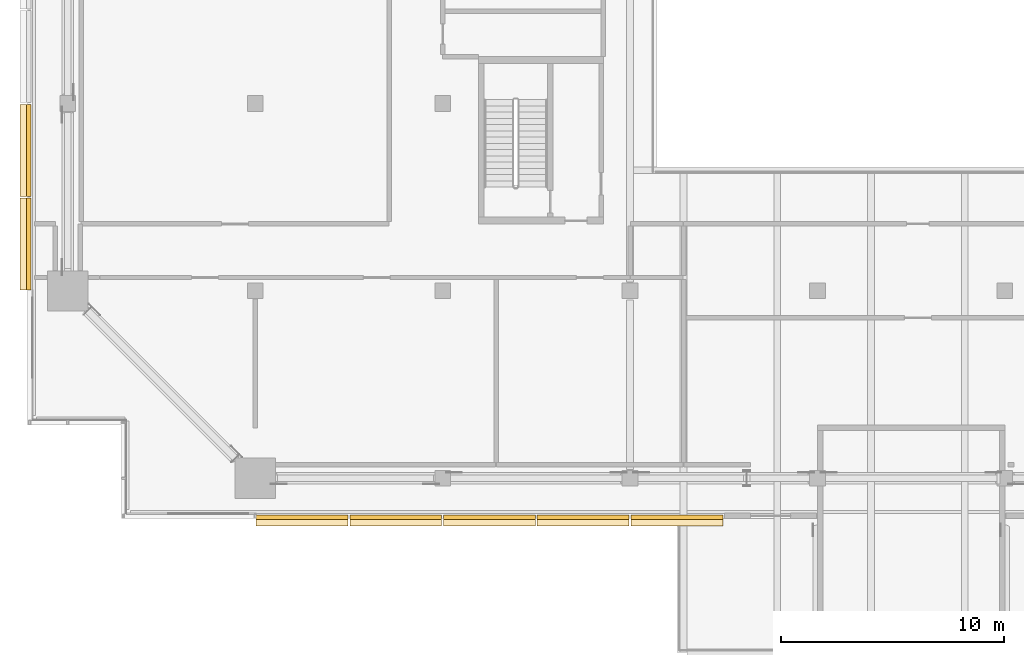
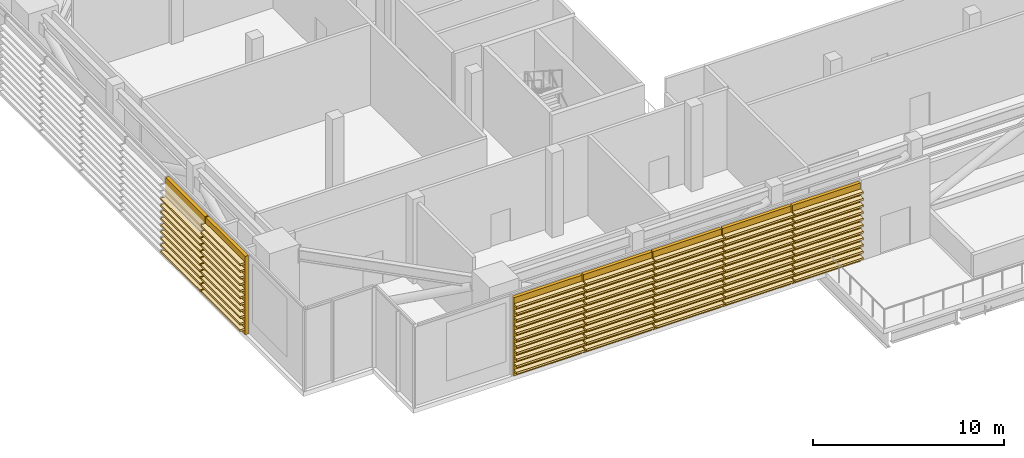
# One storey, part 25 of 29: 82 coverings.
"""IFC4 building model written with IfcOpenShell, lengths in metres."""

from ifc_helpers import new_model, si_unit, direction, frame, origin, place, context, subcontext, project, spatial, polyline, outline, extrude, material, layer, layer_set, type_object, element, save


model = new_model("IFC4")

# Units and contexts
model_context = context("Model", 3, precision=1e-05, world=origin(), true_north=direction((0.0, 1.0)))
body_context = subcontext(model_context, "Body", "Model", "MODEL_VIEW")
ifc_project = project(units=[si_unit("LENGTHUNIT", "METRE"), si_unit("AREAUNIT", "SQUARE_METRE"), si_unit("VOLUMEUNIT", "CUBIC_METRE"), si_unit("PLANEANGLEUNIT", "RADIAN"), si_unit("MASSUNIT", "GRAM", prefix="KILO")], contexts=[model_context])

# Site, building, storey
site_placement = place(None, origin())
site = spatial("IfcSite", under=ifc_project, at=site_placement, CompositionType="ELEMENT")
building_placement = place(site_placement, origin())
building = spatial("IfcBuilding", under=site, at=building_placement, Name="Saffron Gate Tower", CompositionType="ELEMENT")
storey_placement = place(building_placement, frame((0.0, 0.0, 142.050048828125)))
storey = spatial("IfcBuildingStorey", under=building, at=storey_placement, Name="L34", CompositionType="ELEMENT", Elevation=142.050048828125)

# Coverings
ifc_material = material(Name="Ceramic-printed bronze insulated panel")
ifc_layer_1 = layer(ifc_material, 0.199951171875)
ifc_layer_set_1 = layer_set([ifc_layer_1], Name="CLDB ceramic-printed backed panel 200")
covering_type_1 = type_object("IfcCoveringType", Name="CLDB ceramic-printed backed panel 200", PredefinedType="CLADDING", material=ifc_layer_set_1)
covering_1_placement = place(storey_placement, origin())
element("IfcCovering", 1, at=covering_1_placement, inside=storey, type_object=covering_type_1, Name="CLADDING backed panel behind the braces", PredefinedType="CLADDING", context=body_context, shape_type="SweptSolid", body=[
    extrude(outline(polyline([(58.239990234375, 29.9599609375), (62.360107421875, 29.9599609375), (62.360107421875, 30.159912109375), (58.239990234375, 30.159912109375), (58.239990234375, 29.9599609375)])), origin(), (0.0, 0.0, 1.0), 5.0),
])
covering_2_placement = place(storey_placement, origin())
element("IfcCovering", 2, at=covering_2_placement, inside=storey, type_object=covering_type_1, Name="CLADDING backed panel behind the braces", PredefinedType="CLADDING", context=body_context, shape_type="SweptSolid", body=[
    extrude(outline(polyline([(62.43994140625, 29.9599609375), (66.56005859375, 29.9599609375), (66.56005859375, 30.159912109375), (62.43994140625, 30.159912109375), (62.43994140625, 29.9599609375)])), origin(), (0.0, 0.0, 1.0), 5.0),
])
covering_3_placement = place(storey_placement, origin())
element("IfcCovering", 3, at=covering_3_placement, inside=storey, type_object=covering_type_1, Name="CLADDING backed panel behind the braces", PredefinedType="CLADDING", context=body_context, shape_type="SweptSolid", body=[
    extrude(outline(polyline([(66.639892578125, 29.9599609375), (70.760009765625, 29.9599609375), (70.760009765625, 30.159912109375), (66.639892578125, 30.159912109375), (66.639892578125, 29.9599609375)])), origin(), (0.0, 0.0, 1.0), 5.0),
])
covering_4_placement = place(storey_placement, origin())
element("IfcCovering", 4, at=covering_4_placement, inside=storey, type_object=covering_type_1, Name="CLADDING backed panel behind the braces", PredefinedType="CLADDING", context=body_context, shape_type="SweptSolid", body=[
    extrude(outline(polyline([(70.840087890625, 29.9599609375), (74.9599609375, 29.9599609375), (74.9599609375, 30.159912109375), (70.840087890625, 30.159912109375), (70.840087890625, 29.9599609375)])), origin(), (0.0, 0.0, 1.0), 5.0),
])
covering_5_placement = place(storey_placement, origin())
element("IfcCovering", 5, at=covering_5_placement, inside=storey, type_object=covering_type_1, Name="CLADDING backed panel behind the braces", PredefinedType="CLADDING", context=body_context, shape_type="SweptSolid", body=[
    extrude(outline(polyline([(75.0400390625, 29.9599609375), (79.159912109375, 29.9599609375), (79.159912109375, 30.159912109375), (75.0400390625, 30.159912109375), (75.0400390625, 29.9599609375)])), origin(), (0.0, 0.0, 1.0), 5.0),
])
covering_6_placement = place(storey_placement, origin())
element("IfcCovering", 6, at=covering_6_placement, inside=storey, type_object=covering_type_1, Name="CLADDING backed panel behind the braces", PredefinedType="CLADDING", context=body_context, shape_type="SweptSolid", body=[
    extrude(outline(polyline([(47.9599609375, 48.56005859375), (47.9599609375, 44.43994140625), (48.159912109375, 44.43994140625), (48.159912109375, 48.56005859375), (47.9599609375, 48.56005859375)])), origin(), (0.0, 0.0, 1.0), 5.0),
])
covering_7_placement = place(storey_placement, origin())
element("IfcCovering", 7, at=covering_7_placement, inside=storey, type_object=covering_type_1, Name="CLADDING backed panel behind the braces", PredefinedType="CLADDING", context=body_context, shape_type="SweptSolid", body=[
    extrude(outline(polyline([(47.9599609375, 44.360107421875), (47.9599609375, 40.239990234375), (48.159912109375, 40.239990234375), (48.159912109375, 44.360107421875), (47.9599609375, 44.360107421875)])), origin(), (0.0, 0.0, 1.0), 5.0),
])
ifc_layer_2 = layer(ifc_material, 0.1201171875)
ifc_layer_set_2 = layer_set([ifc_layer_2], Name="LV1 louvre slat 300")
covering_type_2 = type_object("IfcCoveringType", Name="LV1 louvre slat 300", PredefinedType="CLADDING", material=ifc_layer_set_2)
for number, where, name in (
    (8, (0.0, 0.0, 0.300048828125), "CLADDING louvre slat in front of the outrigger truss"),
    (9, (0.0, 0.0, 0.719970703125), "CLADDING louvre slat in front of the outrigger truss"),
):
    element("IfcCovering", number, at=place(storey_placement, frame(where)), inside=storey, type_object=covering_type_2, Name=name, PredefinedType="CLADDING", context=body_context, shape_type="SweptSolid", body=[
        extrude(outline(polyline([(58.239990234375, 29.659912109375), (62.360107421875, 29.659912109375), (62.360107421875, 29.9599609375), (58.239990234375, 29.9599609375), (58.239990234375, 29.659912109375)])), origin(), (0.0, 0.0, 1.0), 0.119873046875),
    ])
covering_8_placement = place(storey_placement, frame((0.0, 0.0, 1.139892578125)))
element("IfcCovering", 10, at=covering_8_placement, inside=storey, type_object=covering_type_2, Name="CLADDING louvre slat in front of the outrigger truss", PredefinedType="CLADDING", context=body_context, shape_type="SweptSolid", body=[
    extrude(outline(polyline([(58.239990234375, 29.659912109375), (62.360107421875, 29.659912109375), (62.360107421875, 29.9599609375), (58.239990234375, 29.9599609375), (58.239990234375, 29.659912109375)])), origin(), (0.0, 0.0, 1.0), 0.1201171875),
])
for number, where, name in (
    (11, (0.0, 0.0, 1.56005859375), "CLADDING louvre slat in front of the outrigger truss"),
    (12, (0.0, 0.0, 1.97998046875), "CLADDING louvre slat in front of the outrigger truss"),
):
    element("IfcCovering", number, at=place(storey_placement, frame(where)), inside=storey, type_object=covering_type_2, Name=name, PredefinedType="CLADDING", context=body_context, shape_type="SweptSolid", body=[
        extrude(outline(polyline([(58.239990234375, 29.659912109375), (62.360107421875, 29.659912109375), (62.360107421875, 29.9599609375), (58.239990234375, 29.9599609375), (58.239990234375, 29.659912109375)])), origin(), (0.0, 0.0, 1.0), 0.119873046875),
    ])
covering_9_placement = place(storey_placement, frame((0.0, 0.0, 2.39990234375)))
element("IfcCovering", 13, at=covering_9_placement, inside=storey, type_object=covering_type_2, Name="CLADDING louvre slat in front of the outrigger truss", PredefinedType="CLADDING", context=body_context, shape_type="SweptSolid", body=[
    extrude(outline(polyline([(58.239990234375, 29.659912109375), (62.360107421875, 29.659912109375), (62.360107421875, 29.9599609375), (58.239990234375, 29.9599609375), (58.239990234375, 29.659912109375)])), origin(), (0.0, 0.0, 1.0), 0.1201171875),
])
for number, where, name in (
    (14, (0.0, 0.0, 2.820068359375), "CLADDING louvre slat in front of the outrigger truss"),
    (15, (0.0, 0.0, 3.239990234375), "CLADDING louvre slat in front of the outrigger truss"),
):
    element("IfcCovering", number, at=place(storey_placement, frame(where)), inside=storey, type_object=covering_type_2, Name=name, PredefinedType="CLADDING", context=body_context, shape_type="SweptSolid", body=[
        extrude(outline(polyline([(58.239990234375, 29.659912109375), (62.360107421875, 29.659912109375), (62.360107421875, 29.9599609375), (58.239990234375, 29.9599609375), (58.239990234375, 29.659912109375)])), origin(), (0.0, 0.0, 1.0), 0.119873046875),
    ])
for number, where, name in (
    (16, (0.0, 0.0, 3.659912109375), "CLADDING louvre slat in front of the outrigger truss"),
    (17, (0.0, 0.0, 4.079833984375), "CLADDING louvre slat in front of the outrigger truss"),
):
    element("IfcCovering", number, at=place(storey_placement, frame(where)), inside=storey, type_object=covering_type_2, Name=name, PredefinedType="CLADDING", context=body_context, shape_type="SweptSolid", body=[
        extrude(outline(polyline([(58.239990234375, 29.659912109375), (62.360107421875, 29.659912109375), (62.360107421875, 29.9599609375), (58.239990234375, 29.9599609375), (58.239990234375, 29.659912109375)])), origin(), (0.0, 0.0, 1.0), 0.1201171875),
    ])
covering_10_placement = place(storey_placement, frame((0.0, 0.0, 4.5)))
element("IfcCovering", 18, at=covering_10_placement, inside=storey, type_object=covering_type_2, Name="CLADDING louvre slat in front of the outrigger truss", PredefinedType="CLADDING", context=body_context, shape_type="SweptSolid", body=[
    extrude(outline(polyline([(58.239990234375, 29.659912109375), (62.360107421875, 29.659912109375), (62.360107421875, 29.9599609375), (58.239990234375, 29.9599609375), (58.239990234375, 29.659912109375)])), origin(), (0.0, 0.0, 1.0), 0.119873046875),
])
for number, where, name in (
    (19, (0.0, 0.0, 0.300048828125), "CLADDING louvre slat in front of the outrigger truss"),
    (20, (0.0, 0.0, 0.719970703125), "CLADDING louvre slat in front of the outrigger truss"),
):
    element("IfcCovering", number, at=place(storey_placement, frame(where)), inside=storey, type_object=covering_type_2, Name=name, PredefinedType="CLADDING", context=body_context, shape_type="SweptSolid", body=[
        extrude(outline(polyline([(62.43994140625, 29.659912109375), (66.56005859375, 29.659912109375), (66.56005859375, 29.9599609375), (62.43994140625, 29.9599609375), (62.43994140625, 29.659912109375)])), origin(), (0.0, 0.0, 1.0), 0.119873046875),
    ])
covering_11_placement = place(storey_placement, frame((0.0, 0.0, 1.139892578125)))
element("IfcCovering", 21, at=covering_11_placement, inside=storey, type_object=covering_type_2, Name="CLADDING louvre slat in front of the outrigger truss", PredefinedType="CLADDING", context=body_context, shape_type="SweptSolid", body=[
    extrude(outline(polyline([(62.43994140625, 29.659912109375), (66.56005859375, 29.659912109375), (66.56005859375, 29.9599609375), (62.43994140625, 29.9599609375), (62.43994140625, 29.659912109375)])), origin(), (0.0, 0.0, 1.0), 0.1201171875),
])
for number, where, name in (
    (22, (0.0, 0.0, 1.56005859375), "CLADDING louvre slat in front of the outrigger truss"),
    (23, (0.0, 0.0, 1.97998046875), "CLADDING louvre slat in front of the outrigger truss"),
):
    element("IfcCovering", number, at=place(storey_placement, frame(where)), inside=storey, type_object=covering_type_2, Name=name, PredefinedType="CLADDING", context=body_context, shape_type="SweptSolid", body=[
        extrude(outline(polyline([(62.43994140625, 29.659912109375), (66.56005859375, 29.659912109375), (66.56005859375, 29.9599609375), (62.43994140625, 29.9599609375), (62.43994140625, 29.659912109375)])), origin(), (0.0, 0.0, 1.0), 0.119873046875),
    ])
covering_12_placement = place(storey_placement, frame((0.0, 0.0, 2.39990234375)))
element("IfcCovering", 24, at=covering_12_placement, inside=storey, type_object=covering_type_2, Name="CLADDING louvre slat in front of the outrigger truss", PredefinedType="CLADDING", context=body_context, shape_type="SweptSolid", body=[
    extrude(outline(polyline([(62.43994140625, 29.659912109375), (66.56005859375, 29.659912109375), (66.56005859375, 29.9599609375), (62.43994140625, 29.9599609375), (62.43994140625, 29.659912109375)])), origin(), (0.0, 0.0, 1.0), 0.1201171875),
])
for number, where, name in (
    (25, (0.0, 0.0, 2.820068359375), "CLADDING louvre slat in front of the outrigger truss"),
    (26, (0.0, 0.0, 3.239990234375), "CLADDING louvre slat in front of the outrigger truss"),
):
    element("IfcCovering", number, at=place(storey_placement, frame(where)), inside=storey, type_object=covering_type_2, Name=name, PredefinedType="CLADDING", context=body_context, shape_type="SweptSolid", body=[
        extrude(outline(polyline([(62.43994140625, 29.659912109375), (66.56005859375, 29.659912109375), (66.56005859375, 29.9599609375), (62.43994140625, 29.9599609375), (62.43994140625, 29.659912109375)])), origin(), (0.0, 0.0, 1.0), 0.119873046875),
    ])
for number, where, name in (
    (27, (0.0, 0.0, 3.659912109375), "CLADDING louvre slat in front of the outrigger truss"),
    (28, (0.0, 0.0, 4.079833984375), "CLADDING louvre slat in front of the outrigger truss"),
):
    element("IfcCovering", number, at=place(storey_placement, frame(where)), inside=storey, type_object=covering_type_2, Name=name, PredefinedType="CLADDING", context=body_context, shape_type="SweptSolid", body=[
        extrude(outline(polyline([(62.43994140625, 29.659912109375), (66.56005859375, 29.659912109375), (66.56005859375, 29.9599609375), (62.43994140625, 29.9599609375), (62.43994140625, 29.659912109375)])), origin(), (0.0, 0.0, 1.0), 0.1201171875),
    ])
covering_13_placement = place(storey_placement, frame((0.0, 0.0, 4.5)))
element("IfcCovering", 29, at=covering_13_placement, inside=storey, type_object=covering_type_2, Name="CLADDING louvre slat in front of the outrigger truss", PredefinedType="CLADDING", context=body_context, shape_type="SweptSolid", body=[
    extrude(outline(polyline([(62.43994140625, 29.659912109375), (66.56005859375, 29.659912109375), (66.56005859375, 29.9599609375), (62.43994140625, 29.9599609375), (62.43994140625, 29.659912109375)])), origin(), (0.0, 0.0, 1.0), 0.119873046875),
])
for number, where, name in (
    (30, (0.0, 0.0, 0.300048828125), "CLADDING louvre slat in front of the outrigger truss"),
    (31, (0.0, 0.0, 0.719970703125), "CLADDING louvre slat in front of the outrigger truss"),
):
    element("IfcCovering", number, at=place(storey_placement, frame(where)), inside=storey, type_object=covering_type_2, Name=name, PredefinedType="CLADDING", context=body_context, shape_type="SweptSolid", body=[
        extrude(outline(polyline([(66.639892578125, 29.659912109375), (70.760009765625, 29.659912109375), (70.760009765625, 29.9599609375), (66.639892578125, 29.9599609375), (66.639892578125, 29.659912109375)])), origin(), (0.0, 0.0, 1.0), 0.119873046875),
    ])
covering_14_placement = place(storey_placement, frame((0.0, 0.0, 1.139892578125)))
element("IfcCovering", 32, at=covering_14_placement, inside=storey, type_object=covering_type_2, Name="CLADDING louvre slat in front of the outrigger truss", PredefinedType="CLADDING", context=body_context, shape_type="SweptSolid", body=[
    extrude(outline(polyline([(66.639892578125, 29.659912109375), (70.760009765625, 29.659912109375), (70.760009765625, 29.9599609375), (66.639892578125, 29.9599609375), (66.639892578125, 29.659912109375)])), origin(), (0.0, 0.0, 1.0), 0.1201171875),
])
for number, where, name in (
    (33, (0.0, 0.0, 1.56005859375), "CLADDING louvre slat in front of the outrigger truss"),
    (34, (0.0, 0.0, 1.97998046875), "CLADDING louvre slat in front of the outrigger truss"),
):
    element("IfcCovering", number, at=place(storey_placement, frame(where)), inside=storey, type_object=covering_type_2, Name=name, PredefinedType="CLADDING", context=body_context, shape_type="SweptSolid", body=[
        extrude(outline(polyline([(66.639892578125, 29.659912109375), (70.760009765625, 29.659912109375), (70.760009765625, 29.9599609375), (66.639892578125, 29.9599609375), (66.639892578125, 29.659912109375)])), origin(), (0.0, 0.0, 1.0), 0.119873046875),
    ])
covering_15_placement = place(storey_placement, frame((0.0, 0.0, 2.39990234375)))
element("IfcCovering", 35, at=covering_15_placement, inside=storey, type_object=covering_type_2, Name="CLADDING louvre slat in front of the outrigger truss", PredefinedType="CLADDING", context=body_context, shape_type="SweptSolid", body=[
    extrude(outline(polyline([(66.639892578125, 29.659912109375), (70.760009765625, 29.659912109375), (70.760009765625, 29.9599609375), (66.639892578125, 29.9599609375), (66.639892578125, 29.659912109375)])), origin(), (0.0, 0.0, 1.0), 0.1201171875),
])
for number, where, name in (
    (36, (0.0, 0.0, 2.820068359375), "CLADDING louvre slat in front of the outrigger truss"),
    (37, (0.0, 0.0, 3.239990234375), "CLADDING louvre slat in front of the outrigger truss"),
):
    element("IfcCovering", number, at=place(storey_placement, frame(where)), inside=storey, type_object=covering_type_2, Name=name, PredefinedType="CLADDING", context=body_context, shape_type="SweptSolid", body=[
        extrude(outline(polyline([(66.639892578125, 29.659912109375), (70.760009765625, 29.659912109375), (70.760009765625, 29.9599609375), (66.639892578125, 29.9599609375), (66.639892578125, 29.659912109375)])), origin(), (0.0, 0.0, 1.0), 0.119873046875),
    ])
for number, where, name in (
    (38, (0.0, 0.0, 3.659912109375), "CLADDING louvre slat in front of the outrigger truss"),
    (39, (0.0, 0.0, 4.079833984375), "CLADDING louvre slat in front of the outrigger truss"),
):
    element("IfcCovering", number, at=place(storey_placement, frame(where)), inside=storey, type_object=covering_type_2, Name=name, PredefinedType="CLADDING", context=body_context, shape_type="SweptSolid", body=[
        extrude(outline(polyline([(66.639892578125, 29.659912109375), (70.760009765625, 29.659912109375), (70.760009765625, 29.9599609375), (66.639892578125, 29.9599609375), (66.639892578125, 29.659912109375)])), origin(), (0.0, 0.0, 1.0), 0.1201171875),
    ])
covering_16_placement = place(storey_placement, frame((0.0, 0.0, 4.5)))
element("IfcCovering", 40, at=covering_16_placement, inside=storey, type_object=covering_type_2, Name="CLADDING louvre slat in front of the outrigger truss", PredefinedType="CLADDING", context=body_context, shape_type="SweptSolid", body=[
    extrude(outline(polyline([(66.639892578125, 29.659912109375), (70.760009765625, 29.659912109375), (70.760009765625, 29.9599609375), (66.639892578125, 29.9599609375), (66.639892578125, 29.659912109375)])), origin(), (0.0, 0.0, 1.0), 0.119873046875),
])
for number, where, name in (
    (41, (0.0, 0.0, 0.300048828125), "CLADDING louvre slat in front of the outrigger truss"),
    (42, (0.0, 0.0, 0.719970703125), "CLADDING louvre slat in front of the outrigger truss"),
):
    element("IfcCovering", number, at=place(storey_placement, frame(where)), inside=storey, type_object=covering_type_2, Name=name, PredefinedType="CLADDING", context=body_context, shape_type="SweptSolid", body=[
        extrude(outline(polyline([(70.840087890625, 29.659912109375), (74.9599609375, 29.659912109375), (74.9599609375, 29.9599609375), (70.840087890625, 29.9599609375), (70.840087890625, 29.659912109375)])), origin(), (0.0, 0.0, 1.0), 0.119873046875),
    ])
covering_17_placement = place(storey_placement, frame((0.0, 0.0, 1.139892578125)))
element("IfcCovering", 43, at=covering_17_placement, inside=storey, type_object=covering_type_2, Name="CLADDING louvre slat in front of the outrigger truss", PredefinedType="CLADDING", context=body_context, shape_type="SweptSolid", body=[
    extrude(outline(polyline([(70.840087890625, 29.659912109375), (74.9599609375, 29.659912109375), (74.9599609375, 29.9599609375), (70.840087890625, 29.9599609375), (70.840087890625, 29.659912109375)])), origin(), (0.0, 0.0, 1.0), 0.1201171875),
])
for number, where, name in (
    (44, (0.0, 0.0, 1.56005859375), "CLADDING louvre slat in front of the outrigger truss"),
    (45, (0.0, 0.0, 1.97998046875), "CLADDING louvre slat in front of the outrigger truss"),
):
    element("IfcCovering", number, at=place(storey_placement, frame(where)), inside=storey, type_object=covering_type_2, Name=name, PredefinedType="CLADDING", context=body_context, shape_type="SweptSolid", body=[
        extrude(outline(polyline([(70.840087890625, 29.659912109375), (74.9599609375, 29.659912109375), (74.9599609375, 29.9599609375), (70.840087890625, 29.9599609375), (70.840087890625, 29.659912109375)])), origin(), (0.0, 0.0, 1.0), 0.119873046875),
    ])
covering_18_placement = place(storey_placement, frame((0.0, 0.0, 2.39990234375)))
element("IfcCovering", 46, at=covering_18_placement, inside=storey, type_object=covering_type_2, Name="CLADDING louvre slat in front of the outrigger truss", PredefinedType="CLADDING", context=body_context, shape_type="SweptSolid", body=[
    extrude(outline(polyline([(70.840087890625, 29.659912109375), (74.9599609375, 29.659912109375), (74.9599609375, 29.9599609375), (70.840087890625, 29.9599609375), (70.840087890625, 29.659912109375)])), origin(), (0.0, 0.0, 1.0), 0.1201171875),
])
for number, where, name in (
    (47, (0.0, 0.0, 2.820068359375), "CLADDING louvre slat in front of the outrigger truss"),
    (48, (0.0, 0.0, 3.239990234375), "CLADDING louvre slat in front of the outrigger truss"),
):
    element("IfcCovering", number, at=place(storey_placement, frame(where)), inside=storey, type_object=covering_type_2, Name=name, PredefinedType="CLADDING", context=body_context, shape_type="SweptSolid", body=[
        extrude(outline(polyline([(70.840087890625, 29.659912109375), (74.9599609375, 29.659912109375), (74.9599609375, 29.9599609375), (70.840087890625, 29.9599609375), (70.840087890625, 29.659912109375)])), origin(), (0.0, 0.0, 1.0), 0.119873046875),
    ])
for number, where, name in (
    (49, (0.0, 0.0, 3.659912109375), "CLADDING louvre slat in front of the outrigger truss"),
    (50, (0.0, 0.0, 4.079833984375), "CLADDING louvre slat in front of the outrigger truss"),
):
    element("IfcCovering", number, at=place(storey_placement, frame(where)), inside=storey, type_object=covering_type_2, Name=name, PredefinedType="CLADDING", context=body_context, shape_type="SweptSolid", body=[
        extrude(outline(polyline([(70.840087890625, 29.659912109375), (74.9599609375, 29.659912109375), (74.9599609375, 29.9599609375), (70.840087890625, 29.9599609375), (70.840087890625, 29.659912109375)])), origin(), (0.0, 0.0, 1.0), 0.1201171875),
    ])
covering_19_placement = place(storey_placement, frame((0.0, 0.0, 4.5)))
element("IfcCovering", 51, at=covering_19_placement, inside=storey, type_object=covering_type_2, Name="CLADDING louvre slat in front of the outrigger truss", PredefinedType="CLADDING", context=body_context, shape_type="SweptSolid", body=[
    extrude(outline(polyline([(70.840087890625, 29.659912109375), (74.9599609375, 29.659912109375), (74.9599609375, 29.9599609375), (70.840087890625, 29.9599609375), (70.840087890625, 29.659912109375)])), origin(), (0.0, 0.0, 1.0), 0.119873046875),
])
for number, where, name in (
    (52, (0.0, 0.0, 0.300048828125), "CLADDING louvre slat in front of the outrigger truss"),
    (53, (0.0, 0.0, 0.719970703125), "CLADDING louvre slat in front of the outrigger truss"),
):
    element("IfcCovering", number, at=place(storey_placement, frame(where)), inside=storey, type_object=covering_type_2, Name=name, PredefinedType="CLADDING", context=body_context, shape_type="SweptSolid", body=[
        extrude(outline(polyline([(75.0400390625, 29.659912109375), (79.159912109375, 29.659912109375), (79.159912109375, 29.9599609375), (75.0400390625, 29.9599609375), (75.0400390625, 29.659912109375)])), origin(), (0.0, 0.0, 1.0), 0.119873046875),
    ])
covering_20_placement = place(storey_placement, frame((0.0, 0.0, 1.139892578125)))
element("IfcCovering", 54, at=covering_20_placement, inside=storey, type_object=covering_type_2, Name="CLADDING louvre slat in front of the outrigger truss", PredefinedType="CLADDING", context=body_context, shape_type="SweptSolid", body=[
    extrude(outline(polyline([(75.0400390625, 29.659912109375), (79.159912109375, 29.659912109375), (79.159912109375, 29.9599609375), (75.0400390625, 29.9599609375), (75.0400390625, 29.659912109375)])), origin(), (0.0, 0.0, 1.0), 0.1201171875),
])
for number, where, name in (
    (55, (0.0, 0.0, 1.56005859375), "CLADDING louvre slat in front of the outrigger truss"),
    (56, (0.0, 0.0, 1.97998046875), "CLADDING louvre slat in front of the outrigger truss"),
):
    element("IfcCovering", number, at=place(storey_placement, frame(where)), inside=storey, type_object=covering_type_2, Name=name, PredefinedType="CLADDING", context=body_context, shape_type="SweptSolid", body=[
        extrude(outline(polyline([(75.0400390625, 29.659912109375), (79.159912109375, 29.659912109375), (79.159912109375, 29.9599609375), (75.0400390625, 29.9599609375), (75.0400390625, 29.659912109375)])), origin(), (0.0, 0.0, 1.0), 0.119873046875),
    ])
covering_21_placement = place(storey_placement, frame((0.0, 0.0, 2.39990234375)))
element("IfcCovering", 57, at=covering_21_placement, inside=storey, type_object=covering_type_2, Name="CLADDING louvre slat in front of the outrigger truss", PredefinedType="CLADDING", context=body_context, shape_type="SweptSolid", body=[
    extrude(outline(polyline([(75.0400390625, 29.659912109375), (79.159912109375, 29.659912109375), (79.159912109375, 29.9599609375), (75.0400390625, 29.9599609375), (75.0400390625, 29.659912109375)])), origin(), (0.0, 0.0, 1.0), 0.1201171875),
])
for number, where, name in (
    (58, (0.0, 0.0, 2.820068359375), "CLADDING louvre slat in front of the outrigger truss"),
    (59, (0.0, 0.0, 3.239990234375), "CLADDING louvre slat in front of the outrigger truss"),
):
    element("IfcCovering", number, at=place(storey_placement, frame(where)), inside=storey, type_object=covering_type_2, Name=name, PredefinedType="CLADDING", context=body_context, shape_type="SweptSolid", body=[
        extrude(outline(polyline([(75.0400390625, 29.659912109375), (79.159912109375, 29.659912109375), (79.159912109375, 29.9599609375), (75.0400390625, 29.9599609375), (75.0400390625, 29.659912109375)])), origin(), (0.0, 0.0, 1.0), 0.119873046875),
    ])
for number, where, name in (
    (60, (0.0, 0.0, 3.659912109375), "CLADDING louvre slat in front of the outrigger truss"),
    (61, (0.0, 0.0, 4.079833984375), "CLADDING louvre slat in front of the outrigger truss"),
):
    element("IfcCovering", number, at=place(storey_placement, frame(where)), inside=storey, type_object=covering_type_2, Name=name, PredefinedType="CLADDING", context=body_context, shape_type="SweptSolid", body=[
        extrude(outline(polyline([(75.0400390625, 29.659912109375), (79.159912109375, 29.659912109375), (79.159912109375, 29.9599609375), (75.0400390625, 29.9599609375), (75.0400390625, 29.659912109375)])), origin(), (0.0, 0.0, 1.0), 0.1201171875),
    ])
covering_22_placement = place(storey_placement, frame((0.0, 0.0, 4.5)))
element("IfcCovering", 62, at=covering_22_placement, inside=storey, type_object=covering_type_2, Name="CLADDING louvre slat in front of the outrigger truss", PredefinedType="CLADDING", context=body_context, shape_type="SweptSolid", body=[
    extrude(outline(polyline([(75.0400390625, 29.659912109375), (79.159912109375, 29.659912109375), (79.159912109375, 29.9599609375), (75.0400390625, 29.9599609375), (75.0400390625, 29.659912109375)])), origin(), (0.0, 0.0, 1.0), 0.119873046875),
])
for number, where, name in (
    (63, (0.0, 0.0, 0.300048828125), "CLADDING louvre slat in front of the outrigger truss"),
    (64, (0.0, 0.0, 0.719970703125), "CLADDING louvre slat in front of the outrigger truss"),
):
    element("IfcCovering", number, at=place(storey_placement, frame(where)), inside=storey, type_object=covering_type_2, Name=name, PredefinedType="CLADDING", context=body_context, shape_type="SweptSolid", body=[
        extrude(outline(polyline([(47.659912109375, 48.56005859375), (47.659912109375, 44.43994140625), (47.9599609375, 44.43994140625), (47.9599609375, 48.56005859375), (47.659912109375, 48.56005859375)])), origin(), (0.0, 0.0, 1.0), 0.119873046875),
    ])
covering_23_placement = place(storey_placement, frame((0.0, 0.0, 1.139892578125)))
element("IfcCovering", 65, at=covering_23_placement, inside=storey, type_object=covering_type_2, Name="CLADDING louvre slat in front of the outrigger truss", PredefinedType="CLADDING", context=body_context, shape_type="SweptSolid", body=[
    extrude(outline(polyline([(47.659912109375, 48.56005859375), (47.659912109375, 44.43994140625), (47.9599609375, 44.43994140625), (47.9599609375, 48.56005859375), (47.659912109375, 48.56005859375)])), origin(), (0.0, 0.0, 1.0), 0.1201171875),
])
for number, where, name in (
    (66, (0.0, 0.0, 1.56005859375), "CLADDING louvre slat in front of the outrigger truss"),
    (67, (0.0, 0.0, 1.97998046875), "CLADDING louvre slat in front of the outrigger truss"),
):
    element("IfcCovering", number, at=place(storey_placement, frame(where)), inside=storey, type_object=covering_type_2, Name=name, PredefinedType="CLADDING", context=body_context, shape_type="SweptSolid", body=[
        extrude(outline(polyline([(47.659912109375, 48.56005859375), (47.659912109375, 44.43994140625), (47.9599609375, 44.43994140625), (47.9599609375, 48.56005859375), (47.659912109375, 48.56005859375)])), origin(), (0.0, 0.0, 1.0), 0.119873046875),
    ])
covering_24_placement = place(storey_placement, frame((0.0, 0.0, 2.39990234375)))
element("IfcCovering", 68, at=covering_24_placement, inside=storey, type_object=covering_type_2, Name="CLADDING louvre slat in front of the outrigger truss", PredefinedType="CLADDING", context=body_context, shape_type="SweptSolid", body=[
    extrude(outline(polyline([(47.659912109375, 48.56005859375), (47.659912109375, 44.43994140625), (47.9599609375, 44.43994140625), (47.9599609375, 48.56005859375), (47.659912109375, 48.56005859375)])), origin(), (0.0, 0.0, 1.0), 0.1201171875),
])
for number, where, name in (
    (69, (0.0, 0.0, 2.820068359375), "CLADDING louvre slat in front of the outrigger truss"),
    (70, (0.0, 0.0, 3.239990234375), "CLADDING louvre slat in front of the outrigger truss"),
):
    element("IfcCovering", number, at=place(storey_placement, frame(where)), inside=storey, type_object=covering_type_2, Name=name, PredefinedType="CLADDING", context=body_context, shape_type="SweptSolid", body=[
        extrude(outline(polyline([(47.659912109375, 48.56005859375), (47.659912109375, 44.43994140625), (47.9599609375, 44.43994140625), (47.9599609375, 48.56005859375), (47.659912109375, 48.56005859375)])), origin(), (0.0, 0.0, 1.0), 0.119873046875),
    ])
covering_25_placement = place(storey_placement, frame((0.0, 0.0, 3.659912109375)))
element("IfcCovering", 71, at=covering_25_placement, inside=storey, type_object=covering_type_2, Name="CLADDING louvre slat in front of the outrigger truss", PredefinedType="CLADDING", context=body_context, shape_type="SweptSolid", body=[
    extrude(outline(polyline([(47.659912109375, 48.56005859375), (47.659912109375, 44.43994140625), (47.9599609375, 44.43994140625), (47.9599609375, 48.56005859375), (47.659912109375, 48.56005859375)])), origin(), (0.0, 0.0, 1.0), 0.1201171875),
])
for number, where, name in (
    (72, (0.0, 0.0, 0.300048828125), "CLADDING louvre slat in front of the outrigger truss"),
    (73, (0.0, 0.0, 0.719970703125), "CLADDING louvre slat in front of the outrigger truss"),
):
    element("IfcCovering", number, at=place(storey_placement, frame(where)), inside=storey, type_object=covering_type_2, Name=name, PredefinedType="CLADDING", context=body_context, shape_type="SweptSolid", body=[
        extrude(outline(polyline([(47.659912109375, 44.360107421875), (47.659912109375, 40.239990234375), (47.9599609375, 40.239990234375), (47.9599609375, 44.360107421875), (47.659912109375, 44.360107421875)])), origin(), (0.0, 0.0, 1.0), 0.119873046875),
    ])
covering_26_placement = place(storey_placement, frame((0.0, 0.0, 1.139892578125)))
element("IfcCovering", 74, at=covering_26_placement, inside=storey, type_object=covering_type_2, Name="CLADDING louvre slat in front of the outrigger truss", PredefinedType="CLADDING", context=body_context, shape_type="SweptSolid", body=[
    extrude(outline(polyline([(47.659912109375, 44.360107421875), (47.659912109375, 40.239990234375), (47.9599609375, 40.239990234375), (47.9599609375, 44.360107421875), (47.659912109375, 44.360107421875)])), origin(), (0.0, 0.0, 1.0), 0.1201171875),
])
for number, where, name in (
    (75, (0.0, 0.0, 1.56005859375), "CLADDING louvre slat in front of the outrigger truss"),
    (76, (0.0, 0.0, 1.97998046875), "CLADDING louvre slat in front of the outrigger truss"),
):
    element("IfcCovering", number, at=place(storey_placement, frame(where)), inside=storey, type_object=covering_type_2, Name=name, PredefinedType="CLADDING", context=body_context, shape_type="SweptSolid", body=[
        extrude(outline(polyline([(47.659912109375, 44.360107421875), (47.659912109375, 40.239990234375), (47.9599609375, 40.239990234375), (47.9599609375, 44.360107421875), (47.659912109375, 44.360107421875)])), origin(), (0.0, 0.0, 1.0), 0.119873046875),
    ])
covering_27_placement = place(storey_placement, frame((0.0, 0.0, 2.39990234375)))
element("IfcCovering", 77, at=covering_27_placement, inside=storey, type_object=covering_type_2, Name="CLADDING louvre slat in front of the outrigger truss", PredefinedType="CLADDING", context=body_context, shape_type="SweptSolid", body=[
    extrude(outline(polyline([(47.659912109375, 44.360107421875), (47.659912109375, 40.239990234375), (47.9599609375, 40.239990234375), (47.9599609375, 44.360107421875), (47.659912109375, 44.360107421875)])), origin(), (0.0, 0.0, 1.0), 0.1201171875),
])
for number, where, name in (
    (78, (0.0, 0.0, 2.820068359375), "CLADDING louvre slat in front of the outrigger truss"),
    (79, (0.0, 0.0, 3.239990234375), "CLADDING louvre slat in front of the outrigger truss"),
):
    element("IfcCovering", number, at=place(storey_placement, frame(where)), inside=storey, type_object=covering_type_2, Name=name, PredefinedType="CLADDING", context=body_context, shape_type="SweptSolid", body=[
        extrude(outline(polyline([(47.659912109375, 44.360107421875), (47.659912109375, 40.239990234375), (47.9599609375, 40.239990234375), (47.9599609375, 44.360107421875), (47.659912109375, 44.360107421875)])), origin(), (0.0, 0.0, 1.0), 0.119873046875),
    ])
for number, where, name in (
    (80, (0.0, 0.0, 3.659912109375), "CLADDING louvre slat in front of the outrigger truss"),
    (81, (0.0, 0.0, 4.079833984375), "CLADDING louvre slat in front of the outrigger truss"),
):
    element("IfcCovering", number, at=place(storey_placement, frame(where)), inside=storey, type_object=covering_type_2, Name=name, PredefinedType="CLADDING", context=body_context, shape_type="SweptSolid", body=[
        extrude(outline(polyline([(47.659912109375, 44.360107421875), (47.659912109375, 40.239990234375), (47.9599609375, 40.239990234375), (47.9599609375, 44.360107421875), (47.659912109375, 44.360107421875)])), origin(), (0.0, 0.0, 1.0), 0.1201171875),
    ])
covering_28_placement = place(storey_placement, frame((0.0, 0.0, 4.5)))
element("IfcCovering", 82, at=covering_28_placement, inside=storey, type_object=covering_type_2, Name="CLADDING louvre slat in front of the outrigger truss", PredefinedType="CLADDING", context=body_context, shape_type="SweptSolid", body=[
    extrude(outline(polyline([(47.659912109375, 44.360107421875), (47.659912109375, 40.239990234375), (47.9599609375, 40.239990234375), (47.9599609375, 44.360107421875), (47.659912109375, 44.360107421875)])), origin(), (0.0, 0.0, 1.0), 0.119873046875),
])

save(model, "model.ifc")
